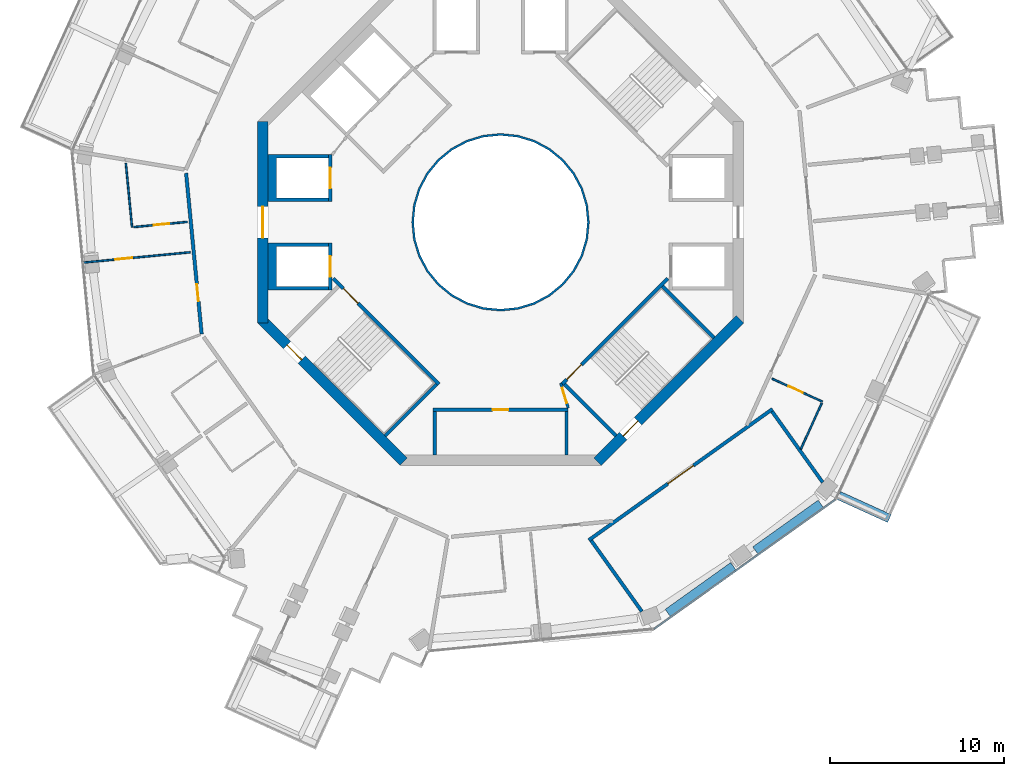
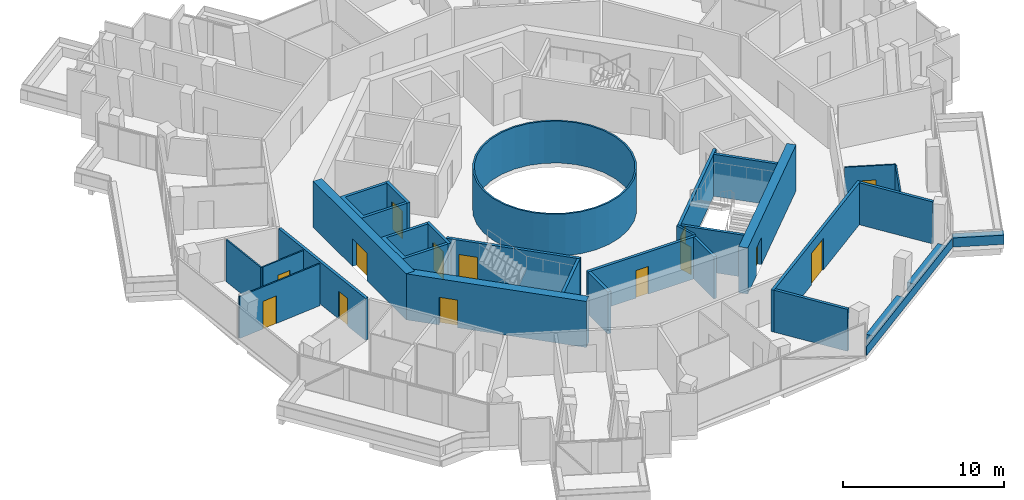
# One storey, part 16 of 22: 30 walls, 14 doors, 14 openings.
"""IFC4 building model written with IfcOpenShell, lengths in metres."""

from ifc_helpers import new_model, si_unit, direction, frame, frame_2d, origin, place, context, subcontext, project, spatial, polyline, rectangle, outline, extrude, material, layer, layer_set, type_object, element, fill, save


model = new_model("IFC4")

# Units and contexts
model_context = context("Model", 3, precision=1e-05, world=origin(), true_north=direction((0.0, 1.0)))
body_context = subcontext(model_context, "Body", "Model", "MODEL_VIEW")
ifc_project = project(units=[si_unit("LENGTHUNIT", "METRE"), si_unit("AREAUNIT", "SQUARE_METRE"), si_unit("VOLUMEUNIT", "CUBIC_METRE"), si_unit("PLANEANGLEUNIT", "RADIAN"), si_unit("MASSUNIT", "GRAM", prefix="KILO")], contexts=[model_context])

# Site, building, storey
site_placement = place(None, origin())
site = spatial("IfcSite", under=ifc_project, at=site_placement, CompositionType="ELEMENT")
building_placement = place(site_placement, origin())
building = spatial("IfcBuilding", under=site, at=building_placement, Name="Verdalira Terraces Hotel", CompositionType="ELEMENT")
storey_placement = place(building_placement, frame((0.0, 0.0, 180.0)))
storey = spatial("IfcBuildingStorey", under=building, at=storey_placement, Name="L43", CompositionType="ELEMENT", Elevation=180.0)

# Walls
ifc_material_1 = material(Name="Fire-resisting glass EI 180", Category="glass")
ifc_layer_1 = layer(ifc_material_1, 0.1201171875)
ifc_layer_set_1 = layer_set([ifc_layer_1], Name="Atrium fire screen 120 mm")
wall_type_1 = type_object("IfcWallType", Name="Atrium fire screen 120 mm", PredefinedType="SOLIDWALL", material=ifc_layer_set_1)
wall_1_placement = place(storey_placement, origin())
element("IfcWall", 1, at=wall_1_placement, inside=storey, type_object=wall_type_1, Name="Atrium fire screen", PredefinedType="SOLIDWALL", context=body_context, shape_type="SweptSolid", body=[
    extrude(outline(polyline([(5.021484, -0.998779), (4.730225, -1.959229), (4.25708, -2.844482), (3.620361, -3.620361), (2.844482, -4.25708), (1.959229, -4.730225), (0.998779, -5.021484), (0.0, -5.120117), (-0.998779, -5.021484), (-1.959229, -4.730225), (-2.844482, -4.25708), (-3.620361, -3.620361), (-4.25708, -2.844482), (-4.730225, -1.959229), (-5.021484, -0.998779), (-5.120117, 0.0), (-5.021484, 0.998779), (-4.730225, 1.959229), (-4.25708, 2.844482), (-3.620361, 3.620361), (-2.844482, 4.25708), (-1.959229, 4.730225), (-0.998779, 5.021484), (0.0, 5.120117), (0.998779, 5.021484), (1.959229, 4.730225), (2.844482, 4.25708), (3.620361, 3.620361), (4.25708, 2.844482), (4.730225, 1.959229), (5.021484, 0.998779), (5.120117, 0.0), (5.021484, -0.998779)]), holes=[polyline([(4.903809, 0.975586), (4.619385, 1.91333), (4.157227, 2.777832), (3.5354, 3.5354), (2.777832, 4.157227), (1.91333, 4.619385), (0.975586, 4.903809), (0.0, 5.0), (-0.975586, 4.903809), (-1.91333, 4.619385), (-2.777832, 4.157227), (-3.5354, 3.5354), (-4.157227, 2.777832), (-4.619385, 1.91333), (-4.903809, 0.975586), (-5.0, 0.0), (-4.903809, -0.975586), (-4.619385, -1.91333), (-4.157227, -2.777832), (-3.5354, -3.5354), (-2.777832, -4.157227), (-1.91333, -4.619385), (-0.975586, -4.903809), (0.0, -5.0), (0.975586, -4.903809), (1.91333, -4.619385), (2.777832, -4.157227), (3.5354, -3.5354), (4.157227, -2.777832), (4.619385, -1.91333), (4.903809, -0.975586), (5.0, 0.0), (4.903809, 0.975586)])]), origin(), (0.0, 0.0, 1.0), 3.189941),
])
ifc_material_2 = material(Name="Concrete C40", Category="concrete")
ifc_layer_2 = layer(ifc_material_2, 0.5)
ifc_layer_set_2 = layer_set([ifc_layer_2], Name="Balcony planter trough with tree")
wall_type_2 = type_object("IfcWallType", Name="Balcony planter trough with tree", PredefinedType="SOLIDWALL", material=ifc_layer_set_2)
wall_2_placement = place(storey_placement, frame((19.48877, -15.740723, 0.0), z_axis=(0.0, 0.0, 1.0), x_axis=(0.910120628, -0.414343387, 0.0)))
element("IfcWall", 2, at=wall_2_placement, inside=storey, type_object=wall_type_2, Name="Balcony planter", PredefinedType="SOLIDWALL", context=body_context, shape_type="SweptSolid", body=[
    extrude(rectangle(XDim=3.198975, YDim=0.5, at=frame_2d((1.599609, 0.0))), origin(), (0.0, 0.0, 1.0), 0.699951),
])
ifc_material_3 = material(Name="Moisture-resistant gypsum board partition")
ifc_layer_3 = layer(ifc_material_3, 0.10009765625)
ifc_layer_set_3 = layer_set([ifc_layer_3], Name="Bathroom partition 100 mm")
wall_type_3 = type_object("IfcWallType", Name="Bathroom partition 100 mm", PredefinedType="PARTITIONING", material=ifc_layer_set_3)
wall_3_placement = place(storey_placement, frame((-21.585693, 3.401611, 0.0), z_axis=(0.0, 0.0, 1.0), x_axis=(0.096168311, -0.995365087, 0.0)))
element("IfcWall", 3, at=wall_3_placement, inside=storey, type_object=wall_type_3, Name="Bathroom partition", PredefinedType="PARTITIONING", context=body_context, shape_type="SweptSolid", body=[
    extrude(rectangle(XDim=3.703857, YDim=0.100098, at=frame_2d((1.852051, 0.0))), origin(), (0.0, 0.0, 1.0), 3.189941),
])

# Wall, opening, door
wall_4_placement = place(storey_placement, frame((-23.996582, -2.319092, 0.0), z_axis=(0.0, 0.0, 1.0), x_axis=(0.995363386, 0.096185909, 0.0)))
wall_4 = element("IfcWall", 4, at=wall_4_placement, inside=storey, type_object=wall_type_3, Name="Bathroom partition", PredefinedType="PARTITIONING", context=body_context, shape_type="SweptSolid", body=[
    extrude(rectangle(XDim=6.150146, YDim=0.100098, at=frame_2d((3.075195, 0.0))), origin(), (0.0, 0.0, 1.0), 3.189941),
])
opening_1_placement = place(wall_4_placement, frame((1.800049, 0.0, 0.0)))
opening_1 = element("IfcOpeningElement", 5, at=opening_1_placement, cuts=wall_4, Name="Opening L43-108", PredefinedType="OPENING", context=body_context, shape_type="SweptSolid", body=[
    extrude(rectangle(XDim=1.0, YDim=2.100098, at=frame_2d((0.5, 1.050049))), frame((0.0, 0.060059, 0.0), z_axis=(0.0, -1.0, 0.0), x_axis=(1.0, 0.0, 0.0)), (0.0, 0.0, 1.0), 0.120117),
])
ifc_material_4 = material(Name="Timber door", Category="wood")
door_type_1 = type_object("IfcDoorType", Name="Suite internal door 1000 x 2100", OperationType="NOTDEFINED", PredefinedType="DOOR", material=ifc_material_4)
door_1_placement = place(opening_1_placement, origin())
door_1 = element("IfcDoor", 6, at=door_1_placement, inside=storey, type_object=door_type_1, Name="Suite internal door 4303", OperationType="SINGLE_SWING_LEFT", OverallHeight=2.10009765625, OverallWidth=1.0, PredefinedType="DOOR", context=body_context, shape_type="SweptSolid", body=[
    extrude(rectangle(XDim=1.0, YDim=2.100098, at=frame_2d((0.5, 1.050049))), frame((0.0, 0.024902, 0.0), z_axis=(0.0, -1.0, 0.0), x_axis=(1.0, 0.0, 0.0)), (0.0, 0.0, 1.0), 0.050049),
])
fill(opening_1, door_1)

wall_5_placement = place(storey_placement, frame((-21.129883, -0.275391, 0.0), z_axis=(0.0, 0.0, 1.0), x_axis=(0.995366075, 0.09615808, 0.0)))
wall_5 = element("IfcWall", 7, at=wall_5_placement, inside=storey, type_object=wall_type_3, Name="Bathroom partition", PredefinedType="PARTITIONING", context=body_context, shape_type="SweptSolid", body=[
    extrude(rectangle(XDim=3.100098, YDim=0.100098, at=frame_2d((1.550049, 0.0))), origin(), (0.0, 0.0, 1.0), 3.189941),
])
opening_2_placement = place(wall_5_placement, frame((1.149902, 0.0, 0.0)))
opening_2 = element("IfcOpeningElement", 8, at=opening_2_placement, cuts=wall_5, Name="Opening L43-110", PredefinedType="OPENING", context=body_context, shape_type="SweptSolid", body=[
    extrude(rectangle(XDim=0.899902, YDim=2.100098, at=frame_2d((0.449951, 1.050049))), frame((0.0, 0.060059, 0.0), z_axis=(0.0, -1.0, 0.0), x_axis=(1.0, 0.0, 0.0)), (0.0, 0.0, 1.0), 0.120117),
])
ifc_material_5 = material(Name="Timber door", Category="wood")
door_type_2 = type_object("IfcDoorType", Name="Bathroom door 900 x 2100", OperationType="NOTDEFINED", PredefinedType="DOOR", material=ifc_material_5)
door_2_placement = place(opening_2_placement, origin())
door_2 = element("IfcDoor", 9, at=door_2_placement, inside=storey, type_object=door_type_2, Name="Bathroom door 4303", OperationType="SINGLE_SWING_LEFT", OverallHeight=2.10009765625, OverallWidth=0.89990234375, PredefinedType="DOOR", context=body_context, shape_type="SweptSolid", body=[
    extrude(rectangle(XDim=0.899902, YDim=2.100098, at=frame_2d((0.449951, 1.050049))), frame((0.0, 0.024902, 0.0), z_axis=(0.0, -1.0, 0.0), x_axis=(1.0, 0.0, 0.0)), (0.0, 0.0, 1.0), 0.050049),
])
fill(opening_2, door_2)

wall_6_placement = place(storey_placement, frame((18.544189, -10.331299, 0.0), z_axis=(0.0, 0.0, 1.0), x_axis=(-0.910115479, 0.414354696, 0.0)))
wall_6 = element("IfcWall", 10, at=wall_6_placement, inside=storey, type_object=wall_type_3, Name="Bathroom partition", PredefinedType="PARTITIONING", context=body_context, shape_type="SweptSolid", body=[
    extrude(rectangle(XDim=3.199951, YDim=0.100098, at=frame_2d((1.600098, 0.0))), origin(), (0.0, 0.0, 1.0), 3.189941),
])
opening_3_placement = place(wall_6_placement, frame((1.25, 0.0, 0.0)))
opening_3 = element("IfcOpeningElement", 11, at=opening_3_placement, cuts=wall_6, Name="Opening L43-121", PredefinedType="OPENING", context=body_context, shape_type="SweptSolid", body=[
    extrude(rectangle(XDim=0.899902, YDim=2.100098, at=frame_2d((0.449951, 1.050049))), frame((0.0, 0.060059, 0.0), z_axis=(0.0, -1.0, 0.0), x_axis=(1.0, 0.0, 0.0)), (0.0, 0.0, 1.0), 0.120117),
])
door_3_placement = place(opening_3_placement, origin())
door_3 = element("IfcDoor", 12, at=door_3_placement, inside=storey, type_object=door_type_2, Name="Bathroom door 4307", OperationType="SINGLE_SWING_LEFT", OverallHeight=2.10009765625, OverallWidth=0.89990234375, PredefinedType="DOOR", context=body_context, shape_type="SweptSolid", body=[
    extrude(rectangle(XDim=0.899902, YDim=2.100098, at=frame_2d((0.449951, 1.050049))), frame((0.0, 0.024902, 0.0), z_axis=(0.0, -1.0, 0.0), x_axis=(1.0, 0.0, 0.0)), (0.0, 0.0, 1.0), 0.050049),
])
fill(opening_3, door_3)

# Walls
wall_7_placement = place(storey_placement, frame((18.50293, -10.422363, 0.0), z_axis=(0.0, 0.0, 1.0), x_axis=(-0.414421888, -0.910084886, 0.0)))
element("IfcWall", 13, at=wall_7_placement, inside=storey, type_object=wall_type_3, Name="Bathroom partition", PredefinedType="PARTITIONING", context=body_context, shape_type="SweptSolid", body=[
    extrude(rectangle(XDim=2.911865, YDim=0.100098, at=frame_2d((1.456055, 0.0))), origin(), (0.0, 0.0, 1.0), 3.189941),
])
ifc_material_6 = material(Name="Concrete C50", Category="concrete")
ifc_layer_4 = layer(ifc_material_6, 0.199951171875)
ifc_layer_set_4 = layer_set([ifc_layer_4], Name="Core RC wall 200 C50")
wall_type_4 = type_object("IfcWallType", Name="Core RC wall 200 C50", PredefinedType="SOLIDWALL", material=ifc_layer_set_4)
wall_8_placement = place(storey_placement, origin())
element("IfcWall", 14, at=wall_8_placement, inside=storey, type_object=wall_type_4, Name="L43 shaft wall W1", PredefinedType="SOLIDWALL", context=body_context, shape_type="SweptSolid", body=[
    extrude(outline(polyline([(-13.399902, 3.899902), (-9.899902, 3.899902), (-9.899902, 3.699951), (-12.899902, 3.699951), (-12.899902, 1.399902), (-9.899902, 1.399902), (-9.899902, 1.199951), (-13.399902, 1.199951), (-13.399902, 3.899902)])), origin(), (0.0, 0.0, 1.0), 3.189941),
])

# Wall, opening, door
wall_9_placement = place(storey_placement, frame((-9.800049, 1.199951, 0.0), z_axis=(0.0, 0.0, 1.0), x_axis=(0.0, 1.0, 0.0)))
wall_9 = element("IfcWall", 15, at=wall_9_placement, inside=storey, type_object=wall_type_4, Name="L43 shaft front wall W1", PredefinedType="SOLIDWALL", context=body_context, shape_type="SweptSolid", body=[
    extrude(rectangle(XDim=2.699951, YDim=0.199951, at=frame_2d((1.350098, 0.0))), origin(), (0.0, 0.0, 1.0), 3.189941),
])
opening_4_placement = place(wall_9_placement, frame((0.75, 0.0, 0.0)))
opening_4 = element("IfcOpeningElement", 16, at=opening_4_placement, cuts=wall_9, Name="Opening LD-L43-806", PredefinedType="OPENING", context=body_context, shape_type="SweptSolid", body=[
    extrude(rectangle(XDim=1.199951, YDim=2.100098, at=frame_2d((0.600098, 1.050049))), frame((0.0, 0.109863, 0.0), z_axis=(0.0, -1.0, 0.0), x_axis=(1.0, 0.0, 0.0)), (0.0, 0.0, 1.0), 0.219971),
])
ifc_material_7 = material(Name="Stainless steel", Category="steel")
door_type_3 = type_object("IfcDoorType", Name="Landing door 1200 x 2100", OperationType="NOTDEFINED", PredefinedType="DOOR", material=ifc_material_7)
door_4_placement = place(opening_4_placement, origin())
door_4 = element("IfcDoor", 17, at=door_4_placement, inside=storey, type_object=door_type_3, Name="Lift landing door HR5 L43", OperationType="DOUBLE_DOOR_SLIDING", OverallHeight=2.10009765625, OverallWidth=1.199951171875, PredefinedType="DOOR", context=body_context, shape_type="SweptSolid", body=[
    extrude(rectangle(XDim=1.199951, YDim=2.100098, at=frame_2d((0.600098, 1.050049))), frame((0.0, 0.024902, 0.0), z_axis=(0.0, -1.0, 0.0), x_axis=(1.0, 0.0, 0.0)), (0.0, 0.0, 1.0), 0.050049),
])
fill(opening_4, door_4)

# Wall
wall_10_placement = place(storey_placement, origin())
element("IfcWall", 18, at=wall_10_placement, inside=storey, type_object=wall_type_4, Name="L43 shaft wall W2", PredefinedType="SOLIDWALL", context=body_context, shape_type="SweptSolid", body=[
    extrude(outline(polyline([(-13.399902, -3.899902), (-13.399902, -1.199951), (-9.899902, -1.199951), (-9.899902, -1.399902), (-12.899902, -1.399902), (-12.899902, -3.699951), (-9.899902, -3.699951), (-9.899902, -3.899902), (-13.399902, -3.899902)])), origin(), (0.0, 0.0, 1.0), 3.189941),
])

# Wall, opening, door
wall_11_placement = place(storey_placement, frame((-9.800049, -1.199951, 0.0), z_axis=(0.0, 0.0, 1.0), x_axis=(0.0, -1.0, 0.0)))
wall_11 = element("IfcWall", 19, at=wall_11_placement, inside=storey, type_object=wall_type_4, Name="L43 shaft front wall W2", PredefinedType="SOLIDWALL", context=body_context, shape_type="SweptSolid", body=[
    extrude(rectangle(XDim=2.699951, YDim=0.199951, at=frame_2d((1.350098, 0.0))), origin(), (0.0, 0.0, 1.0), 3.189941),
])
opening_5_placement = place(wall_11_placement, frame((0.75, 0.0, 0.0)))
opening_5 = element("IfcOpeningElement", 20, at=opening_5_placement, cuts=wall_11, Name="Opening LD-L43-807", PredefinedType="OPENING", context=body_context, shape_type="SweptSolid", body=[
    extrude(rectangle(XDim=1.199951, YDim=2.100098, at=frame_2d((0.600098, 1.050049))), frame((0.0, 0.109863, 0.0), z_axis=(0.0, -1.0, 0.0), x_axis=(1.0, 0.0, 0.0)), (0.0, 0.0, 1.0), 0.219971),
])
door_5_placement = place(opening_5_placement, origin())
door_5 = element("IfcDoor", 21, at=door_5_placement, inside=storey, type_object=door_type_3, Name="Lift landing door HR6 L43", OperationType="DOUBLE_DOOR_SLIDING", OverallHeight=2.10009765625, OverallWidth=1.199951171875, PredefinedType="DOOR", context=body_context, shape_type="SweptSolid", body=[
    extrude(rectangle(XDim=1.199951, YDim=2.100098, at=frame_2d((0.600098, 1.050049))), frame((0.0, 0.024902, 0.0), z_axis=(0.0, -1.0, 0.0), x_axis=(1.0, 0.0, 0.0)), (0.0, 0.0, 1.0), 0.050049),
])
fill(opening_5, door_5)

wall_12_placement = place(storey_placement, frame((-3.899902, -10.800049, 0.0), z_axis=(0.0, 0.0, 1.0), x_axis=(1.0, 0.0, 0.0)))
wall_12 = element("IfcWall", 22, at=wall_12_placement, inside=storey, type_object=wall_type_4, Name="L43 store front wall", PredefinedType="SOLIDWALL", context=body_context, shape_type="SweptSolid", body=[
    extrude(rectangle(XDim=7.799805, YDim=0.199951, at=frame_2d((3.899902, 0.0))), origin(), (0.0, 0.0, 1.0), 3.189941),
])
opening_6_placement = place(wall_12_placement, frame((3.449951, 0.0, 0.0)))
opening_6 = element("IfcOpeningElement", 23, at=opening_6_placement, cuts=wall_12, Name="Opening L43-801", PredefinedType="OPENING", context=body_context, shape_type="SweptSolid", body=[
    extrude(rectangle(XDim=0.899902, YDim=2.100098, at=frame_2d((0.449951, 1.050049))), frame((0.0, 0.109863, 0.0), z_axis=(0.0, -1.0, 0.0), x_axis=(1.0, 0.0, 0.0)), (0.0, 0.0, 1.0), 0.219971),
])
ifc_material_8 = material(Name="Steel fire door", Category="steel")
door_type_4 = type_object("IfcDoorType", Name="Core room door 900 x 2100", OperationType="NOTDEFINED", PredefinedType="DOOR", material=ifc_material_8)
door_6_placement = place(opening_6_placement, origin())
door_6 = element("IfcDoor", 24, at=door_6_placement, inside=storey, type_object=door_type_4, Name="Store door L43 SS", OperationType="SINGLE_SWING_LEFT", OverallHeight=2.10009765625, OverallWidth=0.89990234375, PredefinedType="DOOR", context=body_context, shape_type="SweptSolid", body=[
    extrude(rectangle(XDim=0.899902, YDim=2.100098, at=frame_2d((0.449951, 1.050049))), frame((0.0, 0.024902, 0.0), z_axis=(0.0, -1.0, 0.0), x_axis=(1.0, 0.0, 0.0)), (0.0, 0.0, 1.0), 0.050049),
])
fill(opening_6, door_6)

# Walls
for number, where, z_axis, x_axis, name in (
    (25, (-3.800049, -10.899902, 0.0), (0.0, 0.0, 1.0), (0.0, -1.0, 0.0), "L43 store side wall"),
    (26, (3.800049, -10.899902, 0.0), (0.0, 0.0, 1.0), (0.0, -1.0, 0.0), "L43 store side wall"),
):
    element("IfcWall", number, at=place(storey_placement, frame(where, z_axis=z_axis, x_axis=x_axis)), inside=storey, type_object=wall_type_4, Name=name, PredefinedType="SOLIDWALL", context=body_context, shape_type="SweptSolid", body=[
        extrude(rectangle(XDim=2.5, YDim=0.199951, at=frame_2d((1.25, 0.0))), origin(), (0.0, 0.0, 1.0), 3.189941),
    ])

# Wall, opening, door
wall_13_placement = place(storey_placement, frame((-3.5354, -9.33374, 0.0), z_axis=(0.0, 0.0, 1.0), x_axis=(-0.707120946, 0.707092617, 0.0)))
wall_13 = element("IfcWall", 27, at=wall_13_placement, inside=storey, type_object=wall_type_4, Name="L43 stair ST2 front wall", PredefinedType="SOLIDWALL", context=body_context, shape_type="SweptSolid", body=[
    extrude(rectangle(XDim=8.61792, YDim=0.199951, at=frame_2d((4.309082, 0.0))), origin(), (0.0, 0.0, 1.0), 3.189941),
])
opening_7_placement = place(wall_13_placement, frame((6.600098, 0.0, 0.0)))
opening_7 = element("IfcOpeningElement", 28, at=opening_7_placement, cuts=wall_13, Name="Opening L43-811", PredefinedType="OPENING", context=body_context, shape_type="SweptSolid", body=[
    extrude(rectangle(XDim=1.199951, YDim=2.100098, at=frame_2d((0.600098, 1.050049))), frame((0.0, 0.109863, 0.0), z_axis=(0.0, -1.0, 0.0), x_axis=(1.0, 0.0, 0.0)), (0.0, 0.0, 1.0), 0.219971),
])
ifc_material_9 = material(Name="Steel fire door", Category="steel")
door_type_5 = type_object("IfcDoorType", Name="Stair door 1200 x 2100", OperationType="NOTDEFINED", PredefinedType="DOOR", material=ifc_material_9)
door_7_placement = place(opening_7_placement, origin())
door_7 = element("IfcDoor", 29, at=door_7_placement, inside=storey, type_object=door_type_5, Name="Stair door ST2 L43", OperationType="SINGLE_SWING_RIGHT", OverallHeight=2.10009765625, OverallWidth=1.199951171875, PredefinedType="DOOR", context=body_context, shape_type="SweptSolid", body=[
    extrude(rectangle(XDim=1.199951, YDim=2.100098, at=frame_2d((0.600098, 1.050049))), frame((0.0, 0.024902, 0.0), z_axis=(0.0, -1.0, 0.0), x_axis=(1.0, 0.0, 0.0)), (0.0, 0.0, 1.0), 0.050049),
])
fill(opening_7, door_7)

# Wall
wall_14_placement = place(storey_placement, frame((-3.677002, -9.33374, 0.0), z_axis=(0.0, 0.0, 1.0), x_axis=(-0.707077716, -0.707135845, 0.0)))
element("IfcWall", 30, at=wall_14_placement, inside=storey, type_object=wall_type_4, Name="L43 stair ST2 end wall 2", PredefinedType="SOLIDWALL", context=body_context, shape_type="SweptSolid", body=[
    extrude(rectangle(XDim=4.199951, YDim=0.199951, at=frame_2d((2.100098, 0.0))), origin(), (0.0, 0.0, 1.0), 3.189941),
])

# Wall, opening, door
wall_15_placement = place(storey_placement, frame((9.629395, -3.23999, 0.0), z_axis=(0.0, 0.0, 1.0), x_axis=(-0.707120946, -0.707092617, 0.0)))
wall_15 = element("IfcWall", 31, at=wall_15_placement, inside=storey, type_object=wall_type_4, Name="L43 stair ST3 front wall", PredefinedType="SOLIDWALL", context=body_context, shape_type="SweptSolid", body=[
    extrude(rectangle(XDim=8.61792, YDim=0.199951, at=frame_2d((4.309082, 0.0))), origin(), (0.0, 0.0, 1.0), 3.189941),
])
opening_8_placement = place(wall_15_placement, frame((7.017822, 0.0, 0.0)))
opening_8 = element("IfcOpeningElement", 32, at=opening_8_placement, cuts=wall_15, Name="Opening L43-812", PredefinedType="OPENING", context=body_context, shape_type="SweptSolid", body=[
    extrude(rectangle(XDim=1.199951, YDim=2.100098, at=frame_2d((0.600098, 1.050049))), frame((0.0, 0.109863, 0.0), z_axis=(0.0, -1.0, 0.0), x_axis=(1.0, 0.0, 0.0)), (0.0, 0.0, 1.0), 0.219971),
])
door_8_placement = place(opening_8_placement, origin())
door_8 = element("IfcDoor", 33, at=door_8_placement, inside=storey, type_object=door_type_5, Name="Stair door ST3 L43", OperationType="SINGLE_SWING_RIGHT", OverallHeight=2.10009765625, OverallWidth=1.199951171875, PredefinedType="DOOR", context=body_context, shape_type="SweptSolid", body=[
    extrude(rectangle(XDim=1.199951, YDim=2.100098, at=frame_2d((0.600098, 1.050049))), frame((0.0, 0.024902, 0.0), z_axis=(0.0, -1.0, 0.0), x_axis=(1.0, 0.0, 0.0)), (0.0, 0.0, 1.0), 0.050049),
])
fill(opening_8, door_8)

# Walls
for number, where, z_axis, x_axis, name in (
    (34, (3.677002, -9.33374, 0.0), (0.0, 0.0, 1.0), (0.707077716, -0.707135845, 0.0), "L43 stair ST3 end wall 1"),
    (35, (9.33374, -3.677002, 0.0), (0.0, 0.0, 1.0), (0.707135845, -0.707077716, 0.0), "L43 stair ST3 end wall 2"),
):
    element("IfcWall", number, at=place(storey_placement, frame(where, z_axis=z_axis, x_axis=x_axis)), inside=storey, type_object=wall_type_4, Name=name, PredefinedType="SOLIDWALL", context=body_context, shape_type="SweptSolid", body=[
        extrude(rectangle(XDim=4.199951, YDim=0.199951, at=frame_2d((2.100098, 0.0))), origin(), (0.0, 0.0, 1.0), 3.189941),
    ])

# Wall, opening, door
ifc_material_10 = material(Name="Gypsum board partition")
ifc_layer_5 = layer(ifc_material_10, 0.14990234375)
ifc_layer_set_5 = layer_set([ifc_layer_5], Name="Core partition 150 mm")
wall_type_5 = type_object("IfcWallType", Name="Core partition 150 mm", PredefinedType="PARTITIONING", material=ifc_layer_set_5)
wall_16_placement = place(storey_placement, frame((3.899902, -10.699951, 0.0), z_axis=(0.0, 0.0, 1.0), x_axis=(-0.289808785, 0.957084567, 0.0)))
wall_16 = element("IfcWall", 36, at=wall_16_placement, inside=storey, type_object=wall_type_5, Name="Room partition L43", PredefinedType="PARTITIONING", context=body_context, shape_type="SweptSolid", body=[
    extrude(rectangle(XDim=1.501221, YDim=0.149902, at=frame_2d((0.750488, 0.0))), origin(), (0.0, 0.0, 1.0), 3.189941),
])
opening_9_placement = place(wall_16_placement, frame((0.300781, 0.0, 0.0)))
opening_9 = element("IfcOpeningElement", 37, at=opening_9_placement, cuts=wall_16, Name="Opening L43-822", PredefinedType="OPENING", context=body_context, shape_type="SweptSolid", body=[
    extrude(rectangle(XDim=0.899902, YDim=2.100098, at=frame_2d((0.449951, 1.050049))), frame((0.0, 0.084961, 0.0), z_axis=(0.0, -1.0, 0.0), x_axis=(1.0, 0.0, 0.0)), (0.0, 0.0, 1.0), 0.169922),
])
door_9_placement = place(opening_9_placement, origin())
door_9 = element("IfcDoor", 38, at=door_9_placement, inside=storey, type_object=door_type_4, Name="Door L43 room6", OperationType="SINGLE_SWING_LEFT", OverallHeight=2.10009765625, OverallWidth=0.89990234375, PredefinedType="DOOR", context=body_context, shape_type="SweptSolid", body=[
    extrude(rectangle(XDim=0.899902, YDim=2.100098, at=frame_2d((0.449951, 1.050049))), frame((0.0, 0.024902, 0.0), z_axis=(0.0, -1.0, 0.0), x_axis=(1.0, 0.0, 0.0)), (0.0, 0.0, 1.0), 0.050049),
])
fill(opening_9, door_9)

ifc_material_11 = material(Name="Concrete C60", Category="concrete")
ifc_layer_6 = layer(ifc_material_11, 0.60009765625)
ifc_layer_set_6 = layer_set([ifc_layer_6], Name="Core wall 600 C60")
wall_type_6 = type_object("IfcWallType", Name="Core wall 600 C60", PredefinedType="SHEAR", material=ifc_layer_set_6)
wall_17_placement = place(storey_placement, frame((-13.699951, 5.799072, 0.0), z_axis=(0.0, 0.0, 1.0), x_axis=(0.0, -1.0, 0.0)))
wall_17 = element("IfcWall", 39, at=wall_17_placement, inside=storey, type_object=wall_type_6, Name="Core wall CW-L43-5", PredefinedType="SHEAR", context=body_context, shape_type="SweptSolid", body=[
    extrude(rectangle(XDim=11.598145, YDim=0.600098, at=frame_2d((5.799072, 0.0))), origin(), (0.0, 0.0, 1.0), 3.5),
])
opening_10_placement = place(wall_17_placement, frame((4.898926, 0.0, 0.0)))
opening_10 = element("IfcOpeningElement", 40, at=opening_10_placement, cuts=wall_17, Name="Opening L43-815", PredefinedType="OPENING", context=body_context, shape_type="SweptSolid", body=[
    extrude(rectangle(XDim=1.800049, YDim=2.100098, at=frame_2d((0.899902, 1.050049))), frame((0.0, 0.310059, 0.0), z_axis=(0.0, -1.0, 0.0), x_axis=(1.0, 0.0, 0.0)), (0.0, 0.0, 1.0), 0.620117),
])
ifc_material_12 = material(Name="Steel fire door", Category="steel")
door_type_6 = type_object("IfcDoorType", Name="Core entry door pair 1800 x 2100", OperationType="NOTDEFINED", PredefinedType="DOOR", material=ifc_material_12)
door_10_placement = place(opening_10_placement, origin())
door_10 = element("IfcDoor", 41, at=door_10_placement, inside=storey, type_object=door_type_6, Name="Core entry door L43 4", OperationType="DOUBLE_DOOR_SINGLE_SWING", OverallHeight=2.10009765625, OverallWidth=1.800048828125, PredefinedType="DOOR", context=body_context, shape_type="SweptSolid", body=[
    extrude(rectangle(XDim=1.800049, YDim=2.100098, at=frame_2d((0.899902, 1.050049))), frame((0.0, 0.024902, 0.0), z_axis=(0.0, -1.0, 0.0), x_axis=(1.0, 0.0, 0.0)), (0.0, 0.0, 1.0), 0.050049),
])
fill(opening_10, door_10)

wall_18_placement = place(storey_placement, frame((-13.787842, -5.586914, 0.0), z_axis=(0.0, 0.0, 1.0), x_axis=(0.707106781, -0.707106781, 0.0)))
wall_18 = element("IfcWall", 42, at=wall_18_placement, inside=storey, type_object=wall_type_6, Name="Core wall CW-L43-6", PredefinedType="SHEAR", context=body_context, shape_type="SweptSolid", body=[
    extrude(rectangle(XDim=11.5979, YDim=0.600098, at=frame_2d((5.798828, 0.0))), origin(), (0.0, 0.0, 1.0), 3.5),
])
opening_11_placement = place(wall_18_placement, frame((2.099121, 0.0, 0.0)))
opening_11 = element("IfcOpeningElement", 43, at=opening_11_placement, cuts=wall_18, Name="Opening L43-817", PredefinedType="OPENING", context=body_context, shape_type="SweptSolid", body=[
    extrude(rectangle(XDim=1.199951, YDim=2.100098, at=frame_2d((0.600098, 1.050049))), frame((0.0, 0.310059, 0.0), z_axis=(0.0, -1.0, 0.0), x_axis=(1.0, 0.0, 0.0)), (0.0, 0.0, 1.0), 0.620117),
])
door_11_placement = place(opening_11_placement, origin())
door_11 = element("IfcDoor", 44, at=door_11_placement, inside=storey, type_object=door_type_5, Name="Stair exit door ST2 L43", OperationType="SINGLE_SWING_LEFT", OverallHeight=2.10009765625, OverallWidth=1.199951171875, PredefinedType="DOOR", context=body_context, shape_type="SweptSolid", body=[
    extrude(rectangle(XDim=1.199951, YDim=2.100098, at=frame_2d((0.600098, 1.050049))), frame((0.0, 0.024902, 0.0), z_axis=(0.0, -1.0, 0.0), x_axis=(1.0, 0.0, 0.0)), (0.0, 0.0, 1.0), 0.050049),
])
fill(opening_11, door_11)

wall_19_placement = place(storey_placement, frame((5.586914, -13.787842, 0.0), z_axis=(0.0, 0.0, 1.0), x_axis=(0.707106781, 0.707106781, 0.0)))
wall_19 = element("IfcWall", 45, at=wall_19_placement, inside=storey, type_object=wall_type_6, Name="Core wall CW-L43-8", PredefinedType="SHEAR", context=body_context, shape_type="SweptSolid", body=[
    extrude(rectangle(XDim=11.5979, YDim=0.600098, at=frame_2d((5.798828, 0.0))), origin(), (0.0, 0.0, 1.0), 3.5),
])
opening_12_placement = place(wall_19_placement, frame((2.099121, 0.0, 0.0)))
opening_12 = element("IfcOpeningElement", 46, at=opening_12_placement, cuts=wall_19, Name="Opening L43-818", PredefinedType="OPENING", context=body_context, shape_type="SweptSolid", body=[
    extrude(rectangle(XDim=1.199951, YDim=2.100098, at=frame_2d((0.600098, 1.050049))), frame((0.0, 0.310059, 0.0), z_axis=(0.0, -1.0, 0.0), x_axis=(1.0, 0.0, 0.0)), (0.0, 0.0, 1.0), 0.620117),
])
door_12_placement = place(opening_12_placement, origin())
door_12 = element("IfcDoor", 47, at=door_12_placement, inside=storey, type_object=door_type_5, Name="Stair exit door ST3 L43", OperationType="SINGLE_SWING_LEFT", OverallHeight=2.10009765625, OverallWidth=1.199951171875, PredefinedType="DOOR", context=body_context, shape_type="SweptSolid", body=[
    extrude(rectangle(XDim=1.199951, YDim=2.100098, at=frame_2d((0.600098, 1.050049))), frame((0.0, 0.024902, 0.0), z_axis=(0.0, -1.0, 0.0), x_axis=(1.0, 0.0, 0.0)), (0.0, 0.0, 1.0), 0.050049),
])
fill(opening_12, door_12)

ifc_material_13 = material(Name="Fire-rated gypsum board wall")
ifc_layer_7 = layer(ifc_material_13, 0.199951171875)
ifc_layer_set_7 = layer_set([ifc_layer_7], Name="Guest corridor wall 200 mm")
wall_type_7 = type_object("IfcWallType", Name="Guest corridor wall 200 mm", PredefinedType="SOLIDWALL", material=ifc_layer_set_7)
wall_20_placement = place(storey_placement, frame((-17.218262, -6.44458, 0.0), z_axis=(0.0, 0.0, 1.0), x_axis=(-0.096195227, 0.995362486, 0.0)))
wall_20 = element("IfcWall", 48, at=wall_20_placement, inside=storey, type_object=wall_type_7, Name="Guest corridor wall", PredefinedType="SOLIDWALL", context=body_context, shape_type="SweptSolid", body=[
    extrude(rectangle(XDim=9.316895, YDim=0.199951, at=frame_2d((4.658447, 0.0))), origin(), (0.0, 0.0, 1.0), 3.189941),
])
opening_13_placement = place(wall_20_placement, frame((1.899902, 0.0, 0.0)))
opening_13 = element("IfcOpeningElement", 49, at=opening_13_placement, cuts=wall_20, Name="Opening L43-107", PredefinedType="OPENING", context=body_context, shape_type="SweptSolid", body=[
    extrude(rectangle(XDim=1.0, YDim=2.100098, at=frame_2d((0.5, 1.050049))), frame((0.0, 0.109863, 0.0), z_axis=(0.0, -1.0, 0.0), x_axis=(1.0, 0.0, 0.0)), (0.0, 0.0, 1.0), 0.219971),
])
ifc_material_14 = material(Name="Timber fire door", Category="wood")
door_type_7 = type_object("IfcDoorType", Name="Guest entry door 1000 x 2100", OperationType="NOTDEFINED", PredefinedType="DOOR", material=ifc_material_14)
door_13_placement = place(opening_13_placement, origin())
door_13 = element("IfcDoor", 50, at=door_13_placement, inside=storey, type_object=door_type_7, Name="Guest entry door 4303", OperationType="SINGLE_SWING_LEFT", OverallHeight=2.10009765625, OverallWidth=1.0, PredefinedType="DOOR", context=body_context, shape_type="SweptSolid", body=[
    extrude(rectangle(XDim=1.0, YDim=2.100098, at=frame_2d((0.5, 1.050049))), frame((0.0, 0.024902, 0.0), z_axis=(0.0, -1.0, 0.0), x_axis=(1.0, 0.0, 0.0)), (0.0, 0.0, 1.0), 0.050049),
])
fill(opening_13, door_13)

ifc_material_15 = material(Name="Terracotta cladding", Category="masonry")
ifc_layer_8 = layer(ifc_material_15, 0.199951171875)
ifc_layer_set_8 = layer_set([ifc_layer_8], Name="Loggia back wall 200")
wall_type_8 = type_object("IfcWallType", Name="Loggia back wall 200", PredefinedType="SOLIDWALL", material=ifc_layer_set_8)
wall_21_placement = place(storey_placement, frame((15.665771, -10.758789, 0.0), z_axis=(0.0, 0.0, 1.0), x_axis=(-0.813914889, -0.580984125, 0.0)))
wall_21 = element("IfcWall", 51, at=wall_21_placement, inside=storey, type_object=wall_type_8, Name="Loggia back wall", PredefinedType="SOLIDWALL", context=body_context, shape_type="SweptSolid", body=[
    extrude(rectangle(XDim=13.0, YDim=0.199951, at=frame_2d((6.5, 0.0))), origin(), (0.0, 0.0, 1.0), 3.189941),
])
opening_14_placement = place(wall_21_placement, frame((5.600098, 0.0, 0.0)))
opening_14 = element("IfcOpeningElement", 52, at=opening_14_placement, cuts=wall_21, Name="Opening L43-L01", PredefinedType="OPENING", context=body_context, shape_type="SweptSolid", body=[
    extrude(rectangle(XDim=1.800049, YDim=2.399902, at=frame_2d((0.899902, 1.199951))), frame((0.0, 0.109863, 0.0), z_axis=(0.0, -1.0, 0.0), x_axis=(1.0, 0.0, 0.0)), (0.0, 0.0, 1.0), 0.219971),
])
ifc_material_16 = material(Name="Clear glass", Category="glass")
door_type_8 = type_object("IfcDoorType", Name="Garden double door 1800x2400", OperationType="NOTDEFINED", PredefinedType="DOOR", material=ifc_material_16)
door_14_placement = place(opening_14_placement, origin())
door_14 = element("IfcDoor", 53, at=door_14_placement, inside=storey, type_object=door_type_8, Name="Loggia double door", OperationType="DOUBLE_DOOR_SINGLE_SWING", OverallHeight=2.39990234375, OverallWidth=1.800048828125, PredefinedType="DOOR", context=body_context, shape_type="SweptSolid", body=[
    extrude(rectangle(XDim=1.800049, YDim=2.399902, at=frame_2d((0.899902, 1.199951))), frame((0.0, 0.024902, 0.0), z_axis=(0.0, -1.0, 0.0), x_axis=(1.0, 0.0, 0.0)), (0.0, 0.0, 1.0), 0.050049),
])
fill(opening_14, door_14)

# Walls
wall_22_placement = place(storey_placement, frame((8.141602, -22.421387, 0.0), z_axis=(0.0, 0.0, 1.0), x_axis=(-0.580966784, 0.813927267, 0.0)))
element("IfcWall", 54, at=wall_22_placement, inside=storey, type_object=wall_type_8, Name="Loggia side wall", PredefinedType="SOLIDWALL", context=body_context, shape_type="SweptSolid", body=[
    extrude(rectangle(XDim=5.020996, YDim=0.199951, at=frame_2d((2.510498, 0.0))), origin(), (0.0, 0.0, 1.0), 3.189941),
])
wall_23_placement = place(storey_placement, frame((18.559082, -14.983887, 0.0), z_axis=(0.0, 0.0, 1.0), x_axis=(-0.580994335, 0.813907601, 0.0)))
element("IfcWall", 55, at=wall_23_placement, inside=storey, type_object=wall_type_8, Name="Loggia side wall", PredefinedType="SOLIDWALL", context=body_context, shape_type="SweptSolid", body=[
    extrude(rectangle(XDim=5.019775, YDim=0.199951, at=frame_2d((2.509766, 0.0))), origin(), (0.0, 0.0, 1.0), 3.189941),
])
ifc_material_17 = material(Name="Concrete C40", Category="concrete")
ifc_layer_9 = layer(ifc_material_17, 0.5)
ifc_layer_set_9 = layer_set([ifc_layer_9], Name="Loggia planter trough with tree")
wall_type_9 = type_object("IfcWallType", Name="Loggia planter trough with tree", PredefinedType="SOLIDWALL", material=ifc_layer_set_9)
wall_24_placement = place(storey_placement, frame((9.631592, -22.499268, 0.0), z_axis=(0.0, 0.0, 1.0), x_axis=(0.813918597, 0.580978931, 0.0)))
element("IfcWall", 56, at=wall_24_placement, inside=storey, type_object=wall_type_9, Name="Loggia planter", PredefinedType="SOLIDWALL", context=body_context, shape_type="SweptSolid", body=[
    extrude(rectangle(XDim=4.632568, YDim=0.5, at=frame_2d((2.316406, 0.0))), origin(), (0.0, 0.0, 1.0), 0.699951),
])
wall_25_placement = place(storey_placement, frame((14.672852, -18.900879, 0.0), z_axis=(0.0, 0.0, 1.0), x_axis=(0.813908018, 0.580993751, 0.0)))
element("IfcWall", 57, at=wall_25_placement, inside=storey, type_object=wall_type_9, Name="Loggia planter", PredefinedType="SOLIDWALL", context=body_context, shape_type="SweptSolid", body=[
    extrude(rectangle(XDim=4.629883, YDim=0.5, at=frame_2d((2.314941, 0.0))), origin(), (0.0, 0.0, 1.0), 0.699951),
])
ifc_material_18 = material(Name="Concrete C40", Category="concrete")
ifc_layer_10 = layer(ifc_material_18, 0.10009765625)
ifc_layer_set_10 = layer_set([ifc_layer_10], Name="Loggia upstand 100")
wall_type_10 = type_object("IfcWallType", Name="Loggia upstand 100", PredefinedType="SOLIDWALL", material=ifc_layer_set_10)
wall_26_placement = place(storey_placement, frame((8.839355, -23.43335, 0.0), z_axis=(0.0, 0.0, 1.0), x_axis=(0.813919717, 0.580977362, 0.0)))
element("IfcWall", 58, at=wall_26_placement, inside=storey, type_object=wall_type_10, Name="Loggia upstand", PredefinedType="SOLIDWALL", context=body_context, shape_type="SweptSolid", body=[
    extrude(rectangle(XDim=12.839844, YDim=0.100098, at=frame_2d((6.419922, 0.0))), origin(), (0.0, 0.0, 1.0), 0.699951),
])

save(model, "model.ifc")
